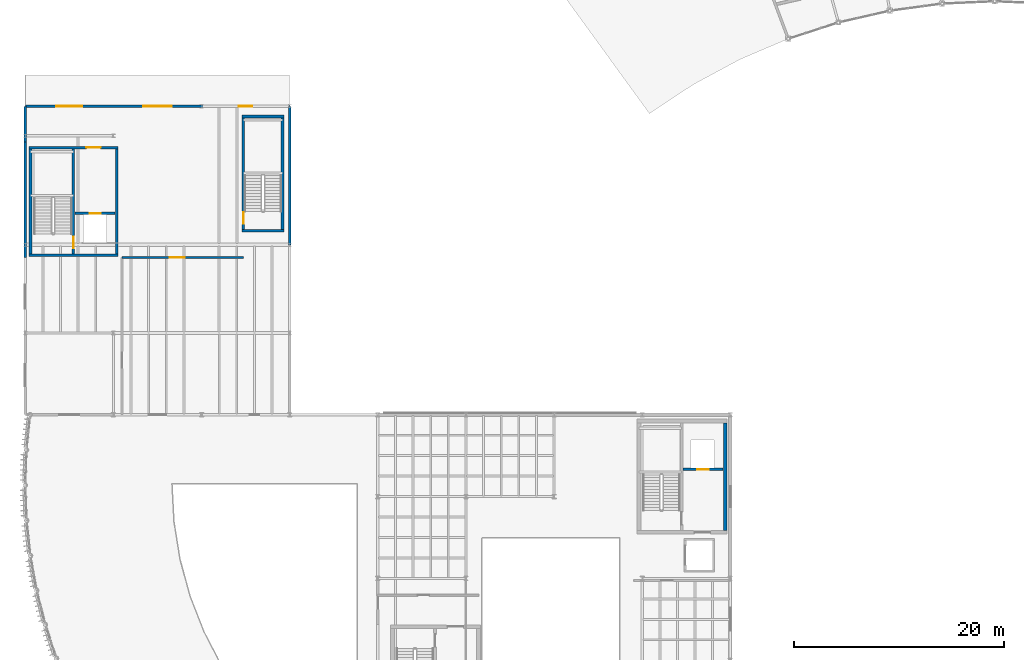
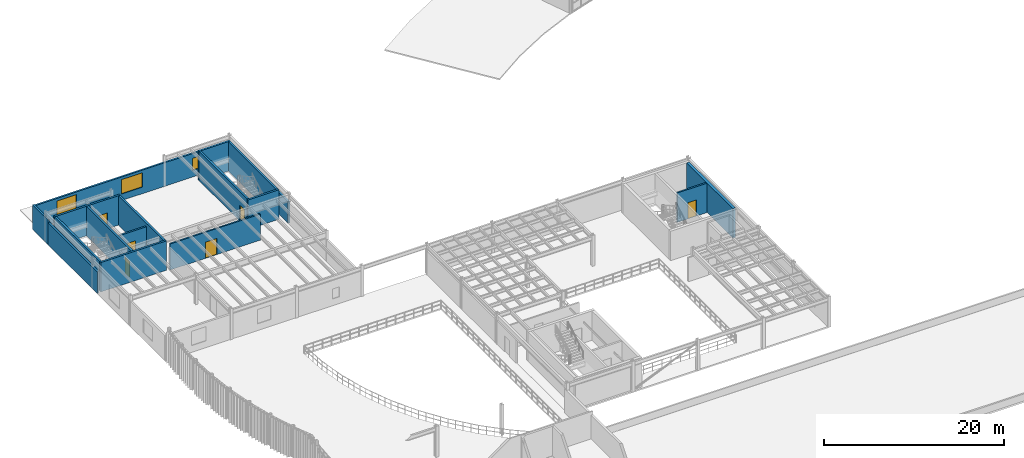
# One storey, part 40 of 54: 17 walls, 6 doors, 3 windows, 9 openings.
"""IFC4 building model written with IfcOpenShell, lengths in metres."""

from ifc_helpers import new_model, si_unit, direction, frame, frame_2d, origin, place, context, subcontext, project, spatial, rectangle, extrude, material, layer, layer_set, type_object, element, fill, save


model = new_model("IFC4")

# Units and contexts
model_context = context("Model", 3, precision=1e-05, world=origin(), true_north=direction((0.0, 1.0)))
body_context = subcontext(model_context, "Body", "Model", "MODEL_VIEW")
ifc_project = project(units=[si_unit("LENGTHUNIT", "METRE"), si_unit("AREAUNIT", "SQUARE_METRE"), si_unit("VOLUMEUNIT", "CUBIC_METRE"), si_unit("PLANEANGLEUNIT", "RADIAN"), si_unit("MASSUNIT", "GRAM", prefix="KILO")], contexts=[model_context])

# Site, building, storey
site_placement = place(None, origin())
site = spatial("IfcSite", under=ifc_project, at=site_placement, CompositionType="ELEMENT")
building_placement = place(site_placement, origin())
building = spatial("IfcBuilding", under=site, at=building_placement, Name="Selat Folded Stagehouse", CompositionType="ELEMENT")
storey_placement = place(building_placement, frame((0.0, 0.0, 15.0)))
storey = spatial("IfcBuildingStorey", under=building, at=storey_placement, Name="L03", CompositionType="ELEMENT", Elevation=15.0)

# Wall, opening, door
ifc_material_1 = material(Name="Acoustic twin-frame drywall partition", Category="gypsum")
ifc_layer_1 = layer(ifc_material_1, 0.18994140625)
ifc_layer_set_1 = layer_set([ifc_layer_1], Name="Acoustic twin-frame drywall partition")
wall_type_1 = type_object("IfcWallType", Name="WAL-ACOU-190", PredefinedType="PARTITIONING", material=ifc_layer_set_1)
wall_1_placement = place(storey_placement, frame((9.199951171875, 69.60009765625, 0.0), z_axis=(0.0, 0.0, 1.0), x_axis=(1.0, 0.0, 0.0)))
wall_1 = element("IfcWall", 1, at=wall_1_placement, inside=storey, type_object=wall_type_1, Name="L03 interior partition wall 099", PredefinedType="PARTITIONING", context=body_context, shape_type="SweptSolid", body=[
    extrude(rectangle(XDim=11.580078125, YDim=0.18994140625, at=frame_2d((5.7900390625, 0.0))), origin(), (0.0, 0.0, 1.0), 3.545654296875),
])
opening_1_placement = place(wall_1_placement, frame((4.55859375, 0.0, 0.0)))
opening_1 = element("IfcOpeningElement", 2, at=opening_1_placement, cuts=wall_1, Name="Opening RD-02", PredefinedType="OPENING", context=body_context, shape_type="SweptSolid", body=[
    extrude(rectangle(XDim=1.449951171875, YDim=2.199951171875, at=frame_2d((0.72509765625, 1.10009765625))), frame((0.0, 0.10498046875, 0.0), z_axis=(0.0, -1.0, 0.0), x_axis=(1.0, 0.0, 0.0)), (0.0, 0.0, 1.0), 0.2099609375),
])
ifc_material_2 = material(Name="Music studio acoustic door", Category="wood")
door_type_1 = type_object("IfcDoorType", Name="DOR-REH-1450", OperationType="NOTDEFINED", PredefinedType="DOOR", material=ifc_material_2)
door_1_placement = place(opening_1_placement, origin())
door_1 = element("IfcDoor", 3, at=door_1_placement, inside=storey, type_object=door_type_1, Name="L03 interior door IWAL-L03-099-1", OperationType="SINGLE_SWING_LEFT", OverallHeight=2.199951171875, OverallWidth=1.449951171875, PredefinedType="DOOR", context=body_context, shape_type="SweptSolid", body=[
    extrude(rectangle(XDim=1.449951171875, YDim=2.199951171875, at=frame_2d((0.72509765625, 1.10009765625))), frame((0.0, 0.02490234375, 0.0), z_axis=(0.0, -1.0, 0.0), x_axis=(1.0, 0.0, 0.0)), (0.0, 0.0, 1.0), 0.050048828125),
])
fill(opening_1, door_1)

ifc_material_3 = material(Name="Concrete C40/50", Category="concrete")
ifc_layer_2 = layer(ifc_material_3, 0.215087890625)
ifc_layer_set_2 = layer_set([ifc_layer_2], Name="Concrete C40/50")
wall_type_2 = type_object("IfcWallType", Name="WAL-COMP-215", PredefinedType="STANDARD", material=ifc_layer_set_2)
wall_2_placement = place(storey_placement, frame((62.7099609375, 49.39990234375, 0.0), z_axis=(0.0, 0.0, 1.0), x_axis=(1.0, 0.0, 0.0)))
wall_2 = element("IfcWall", 4, at=wall_2_placement, inside=storey, type_object=wall_type_2, Name="L03 FL-02 lift shaft front wall", PredefinedType="STANDARD", context=body_context, shape_type="SweptSolid", body=[
    extrude(rectangle(XDim=3.794921875, YDim=0.215087890625, at=frame_2d((1.8974609375, 0.0))), origin(), (0.0, 0.0, 1.0), 3.991943359375),
])
opening_2_placement = place(wall_2_placement, frame((1.347412109375, 0.0, 0.0)))
opening_2 = element("IfcOpeningElement", 5, at=opening_2_placement, cuts=wall_2, Name="Opening LD-01", PredefinedType="OPENING", context=body_context, shape_type="SweptSolid", body=[
    extrude(rectangle(XDim=1.10009765625, YDim=2.199951171875, at=frame_2d((0.550048828125, 1.10009765625))), frame((0.0, 0.117431640625, 0.0), z_axis=(0.0, -1.0, 0.0), x_axis=(1.0, 0.0, 0.0)), (0.0, 0.0, 1.0), 0.235107421875),
])
ifc_material_4 = material(Name="Firefighting lift stainless sliding landing door", Category="wood")
door_type_2 = type_object("IfcDoorType", Name="DOR-LFT-1100", OperationType="NOTDEFINED", PredefinedType="DOOR", material=ifc_material_4)
door_2_placement = place(opening_2_placement, origin())
door_2 = element("IfcDoor", 6, at=door_2_placement, inside=storey, type_object=door_type_2, Name="L03 FL-02 lift sliding landing door", OperationType="SLIDING_TO_RIGHT", OverallHeight=2.199951171875, OverallWidth=1.10009765625, PredefinedType="DOOR", context=body_context, shape_type="SweptSolid", body=[
    extrude(rectangle(XDim=1.10009765625, YDim=2.199951171875, at=frame_2d((0.550048828125, 1.10009765625))), frame((0.0, 0.02490234375, 0.0), z_axis=(0.0, -1.0, 0.0), x_axis=(1.0, 0.0, 0.0)), (0.0, 0.0, 1.0), 0.050048828125),
])
fill(opening_2, door_2)

wall_3_placement = place(storey_placement, frame((4.739990234375, 73.800048828125, 0.0), z_axis=(0.0, 0.0, 1.0), x_axis=(1.0, 0.0, 0.0)))
wall_3 = element("IfcWall", 7, at=wall_3_placement, inside=storey, type_object=wall_type_2, Name="L03 PL-04 lift shaft front wall", PredefinedType="STANDARD", context=body_context, shape_type="SweptSolid", body=[
    extrude(rectangle(XDim=3.81494140625, YDim=0.215087890625, at=frame_2d((1.907470703125, 0.0))), origin(), (0.0, 0.0, 1.0), 3.565673828125),
])
opening_3_placement = place(wall_3_placement, frame((1.382568359375, 0.0, 0.0)))
opening_3 = element("IfcOpeningElement", 8, at=opening_3_placement, cuts=wall_3, Name="Opening LD-03", PredefinedType="OPENING", context=body_context, shape_type="SweptSolid", body=[
    extrude(rectangle(XDim=1.050048828125, YDim=2.14990234375, at=frame_2d((0.52490234375, 1.074951171875))), frame((0.0, 0.117431640625, 0.0), z_axis=(0.0, -1.0, 0.0), x_axis=(1.0, 0.0, 0.0)), (0.0, 0.0, 1.0), 0.235107421875),
])
ifc_material_5 = material(Name="Passenger lift stainless sliding landing door", Category="wood")
door_type_3 = type_object("IfcDoorType", Name="DOR-LFT-1050", OperationType="NOTDEFINED", PredefinedType="DOOR", material=ifc_material_5)
door_3_placement = place(opening_3_placement, origin())
door_3 = element("IfcDoor", 9, at=door_3_placement, inside=storey, type_object=door_type_3, Name="L03 PL-04 lift sliding landing door", OperationType="SLIDING_TO_RIGHT", OverallHeight=2.14990234375, OverallWidth=1.050048828125, PredefinedType="DOOR", context=body_context, shape_type="SweptSolid", body=[
    extrude(rectangle(XDim=1.050048828125, YDim=2.14990234375, at=frame_2d((0.52490234375, 1.074951171875))), frame((0.0, 0.02490234375, 0.0), z_axis=(0.0, -1.0, 0.0), x_axis=(1.0, 0.0, 0.0)), (0.0, 0.0, 1.0), 0.050048828125),
])
fill(opening_3, door_3)

# Walls
ifc_material_6 = material(Name="Concrete C50/60", Category="concrete")
ifc_layer_3 = layer(ifc_material_6, 0.25)
ifc_layer_set_3 = layer_set([ifc_layer_3], Name="Concrete C50/60")
wall_type_3 = type_object("IfcWallType", Name="WAL-CORE-250", PredefinedType="SHEAR", material=ifc_layer_set_3)
for number, where, z_axis, x_axis, name in (
    (10, (24.64501953125, 72.1201171875, 0.0), (0.0, 0.0, 1.0), (-1.0, 0.0, 0.0), "L03 ST-07 south shaft wall"),
    (11, (20.655029296875, 83.02001953125, 0.0), (0.0, 0.0, 1.0), (1.0, 0.0, 0.0), "L03 ST-07 north shaft wall"),
):
    element("IfcWall", number, at=place(storey_placement, frame(where, z_axis=z_axis, x_axis=x_axis)), inside=storey, type_object=wall_type_3, Name=name, PredefinedType="SHEAR", context=body_context, shape_type="SweptSolid", body=[
        extrude(rectangle(XDim=3.989990234375, YDim=0.25, at=frame_2d((1.9951171875, 0.0))), origin(), (0.0, 0.0, 1.0), 4.0),
    ])

# Wall, opening, door
wall_4_placement = place(storey_placement, frame((20.780029296875, 72.2451171875, 0.0), z_axis=(0.0, 0.0, 1.0), x_axis=(0.0, 1.0, 0.0)))
wall_4 = element("IfcWall", 12, at=wall_4_placement, inside=storey, type_object=wall_type_3, Name="L03 ST-07 west shaft wall", PredefinedType="SHEAR", context=body_context, shape_type="SweptSolid", body=[
    extrude(rectangle(XDim=10.64990234375, YDim=0.25, at=frame_2d((5.324951171875, 0.0))), origin(), (0.0, 0.0, 1.0), 4.0),
])
opening_4_placement = place(wall_4_placement, frame((0.550048828125, 0.0, 0.0)))
opening_4 = element("IfcOpeningElement", 13, at=opening_4_placement, cuts=wall_4, Name="Opening FD-60", PredefinedType="OPENING", context=body_context, shape_type="SweptSolid", body=[
    extrude(rectangle(XDim=1.10009765625, YDim=2.14990234375, at=frame_2d((0.550048828125, 1.074951171875))), frame((0.0, 0.135009765625, 0.0), z_axis=(0.0, -1.0, 0.0), x_axis=(1.0, 0.0, 0.0)), (0.0, 0.0, 1.0), 0.27001953125),
])
ifc_material_7 = material(Name="Fire-rated timber core door", Category="wood")
door_type_4 = type_object("IfcDoorType", Name="DOR-FIRE-60", OperationType="NOTDEFINED", PredefinedType="DOOR", material=ifc_material_7)
door_4_placement = place(opening_4_placement, origin())
door_4 = element("IfcDoor", 14, at=door_4_placement, inside=storey, type_object=door_type_4, Name="L03 ST-07 stair door", OperationType="SINGLE_SWING_RIGHT", OverallHeight=2.14990234375, OverallWidth=1.10009765625, PredefinedType="DOOR", context=body_context, shape_type="SweptSolid", body=[
    extrude(rectangle(XDim=1.10009765625, YDim=2.14990234375, at=frame_2d((0.550048828125, 1.074951171875))), frame((0.0, 0.02490234375, 0.0), z_axis=(0.0, -1.0, 0.0), x_axis=(1.0, 0.0, 0.0)), (0.0, 0.0, 1.0), 0.050048828125),
])
fill(opening_4, door_4)

# Walls
wall_5_placement = place(storey_placement, frame((24.52001953125, 82.89501953125, 0.0), z_axis=(0.0, 0.0, 1.0), x_axis=(0.0, -1.0, 0.0)))
element("IfcWall", 15, at=wall_5_placement, inside=storey, type_object=wall_type_3, Name="L03 ST-07 east shaft wall", PredefinedType="SHEAR", context=body_context, shape_type="SweptSolid", body=[
    extrude(rectangle(XDim=10.64990234375, YDim=0.25, at=frame_2d((5.324951171875, 0.0))), origin(), (0.0, 0.0, 1.0), 4.0),
])
wall_6_placement = place(storey_placement, frame((8.824951171875, 69.800048828125, 0.0), z_axis=(0.0, 0.0, 1.0), x_axis=(-1.0, 0.0, 0.0)))
element("IfcWall", 16, at=wall_6_placement, inside=storey, type_object=wall_type_3, Name="L03 CR-5 south shear wall", PredefinedType="SHEAR", context=body_context, shape_type="SweptSolid", body=[
    extrude(rectangle(XDim=8.449951171875, YDim=0.25, at=frame_2d((4.22509765625, 0.0))), origin(), (0.0, 0.0, 1.0), 4.0),
])

# Wall, opening, door
wall_7_placement = place(storey_placement, frame((0.375, 80.06005859375, 0.0), z_axis=(0.0, 0.0, 1.0), x_axis=(1.0, 0.0, 0.0)))
wall_7 = element("IfcWall", 17, at=wall_7_placement, inside=storey, type_object=wall_type_3, Name="L03 CR-5 north shear wall", PredefinedType="SHEAR", context=body_context, shape_type="SweptSolid", body=[
    extrude(rectangle(XDim=8.449951171875, YDim=0.25, at=frame_2d((4.22509765625, 0.0))), origin(), (0.0, 0.0, 1.0), 4.0),
])
opening_5_placement = place(wall_7_placement, frame((5.449951171875, 0.0, 0.0)))
opening_5 = element("IfcOpeningElement", 18, at=opening_5_placement, cuts=wall_7, Name="Opening FD-60B", PredefinedType="OPENING", context=body_context, shape_type="SweptSolid", body=[
    extrude(rectangle(XDim=1.35009765625, YDim=2.14990234375, at=frame_2d((0.675048828125, 1.074951171875))), frame((0.0, 0.135009765625, 0.0), z_axis=(0.0, -1.0, 0.0), x_axis=(1.0, 0.0, 0.0)), (0.0, 0.0, 1.0), 0.27001953125),
])
ifc_material_8 = material(Name="Protected stair escape door", Category="wood")
door_type_5 = type_object("IfcDoorType", Name="DOR-STR-1350", OperationType="NOTDEFINED", PredefinedType="DOOR", material=ifc_material_8)
door_5_placement = place(opening_5_placement, origin())
door_5 = element("IfcDoor", 19, at=door_5_placement, inside=storey, type_object=door_type_5, Name="L03 CR-5 core lobby fire door", OperationType="SINGLE_SWING_RIGHT", OverallHeight=2.14990234375, OverallWidth=1.35009765625, PredefinedType="DOOR", context=body_context, shape_type="SweptSolid", body=[
    extrude(rectangle(XDim=1.35009765625, YDim=2.14990234375, at=frame_2d((0.675048828125, 1.074951171875))), frame((0.0, 0.02490234375, 0.0), z_axis=(0.0, -1.0, 0.0), x_axis=(1.0, 0.0, 0.0)), (0.0, 0.0, 1.0), 0.050048828125),
])
fill(opening_5, door_5)

# Walls
for number, where, z_axis, x_axis, name in (
    (20, (0.5, 69.925048828125, 0.0), (0.0, 0.0, 1.0), (0.0, 1.0, 0.0), "L03 CR-5 west shear wall"),
    (21, (8.699951171875, 79.93505859375, 0.0), (0.0, 0.0, 1.0), (0.0, -1.0, 0.0), "L03 CR-5 east shear wall"),
):
    element("IfcWall", number, at=place(storey_placement, frame(where, z_axis=z_axis, x_axis=x_axis)), inside=storey, type_object=wall_type_3, Name=name, PredefinedType="SHEAR", context=body_context, shape_type="SweptSolid", body=[
        extrude(rectangle(XDim=10.010009765625, YDim=0.25, at=frame_2d((5.0048828125, 0.0))), origin(), (0.0, 0.0, 1.0), 4.0),
    ])

# Wall, opening, door
wall_8_placement = place(storey_placement, frame((4.580078125, 79.93505859375, 0.0), z_axis=(0.0, 0.0, 1.0), x_axis=(0.0, -1.0, 0.0)))
wall_8 = element("IfcWall", 22, at=wall_8_placement, inside=storey, type_object=wall_type_3, Name="L03 CR-5 internal core divider wall", PredefinedType="SHEAR", context=body_context, shape_type="SweptSolid", body=[
    extrude(rectangle(XDim=10.010009765625, YDim=0.25, at=frame_2d((5.0048828125, 0.0))), origin(), (0.0, 0.0, 1.0), 4.0),
])
opening_6_placement = place(wall_8_placement, frame((8.360107421875, 0.0, 0.0)))
opening_6 = element("IfcOpeningElement", 23, at=opening_6_placement, cuts=wall_8, Name="Opening FD-60", PredefinedType="OPENING", context=body_context, shape_type="SweptSolid", body=[
    extrude(rectangle(XDim=1.10009765625, YDim=2.14990234375, at=frame_2d((0.550048828125, 1.074951171875))), frame((0.0, 0.135009765625, 0.0), z_axis=(0.0, -1.0, 0.0), x_axis=(1.0, 0.0, 0.0)), (0.0, 0.0, 1.0), 0.27001953125),
])
door_6_placement = place(opening_6_placement, origin())
door_6 = element("IfcDoor", 24, at=door_6_placement, inside=storey, type_object=door_type_4, Name="L03 CR-5 protected stair fire door", OperationType="SINGLE_SWING_LEFT", OverallHeight=2.14990234375, OverallWidth=1.10009765625, PredefinedType="DOOR", context=body_context, shape_type="SweptSolid", body=[
    extrude(rectangle(XDim=1.10009765625, YDim=2.14990234375, at=frame_2d((0.550048828125, 1.074951171875))), frame((0.0, 0.02490234375, 0.0), z_axis=(0.0, -1.0, 0.0), x_axis=(1.0, 0.0, 0.0)), (0.0, 0.0, 1.0), 0.050048828125),
])
fill(opening_6, door_6)

# Walls
ifc_material_9 = material(Name="Precast concrete C40/50", Category="concrete")
ifc_layer_4 = layer(ifc_material_9, 0.22998046875)
ifc_layer_set_4 = layer_set([ifc_layer_4], Name="Precast concrete C40/50")
wall_type_4 = type_object("IfcWallType", Name="WAL-EXT-230", PredefinedType="STANDARD", material=ifc_layer_set_4)
wall_9_placement = place(storey_placement, frame((0.0, 69.60009765625, 0.0), z_axis=(0.0, 0.0, 1.0), x_axis=(0.0, 1.0, 0.0)))
element("IfcWall", 25, at=wall_9_placement, inside=storey, type_object=wall_type_4, Name="L03 exterior facade wall EW-L03-V4W-2", PredefinedType="STANDARD", context=body_context, shape_type="SweptSolid", body=[
    extrude(rectangle(XDim=11.0, YDim=0.22998046875, at=frame_2d((5.5, 0.0))), origin(), (0.0, 0.0, 1.0), 2.964111328125),
])
wall_10_placement = place(storey_placement, frame((0.0, 80.60009765625, 0.0), z_axis=(0.0, 0.0, 1.0), x_axis=(0.0, 1.0, 0.0)))
element("IfcWall", 26, at=wall_10_placement, inside=storey, type_object=wall_type_4, Name="L03 exterior facade wall EW-L03-V4W-3", PredefinedType="STANDARD", context=body_context, shape_type="SweptSolid", body=[
    extrude(rectangle(XDim=3.39990234375, YDim=0.22998046875, at=frame_2d((1.699951171875, 0.0))), origin(), (0.0, 0.0, 1.0), 3.354736328125),
])

# Wall, openings, windows
wall_11_placement = place(storey_placement, frame((0.0, 84.0, 0.0), z_axis=(0.0, 0.0, 1.0), x_axis=(1.0, 0.0, 0.0)))
wall_11 = element("IfcWall", 27, at=wall_11_placement, inside=storey, type_object=wall_type_4, Name="L03 exterior facade wall EW-L03-V4N", PredefinedType="STANDARD", context=body_context, shape_type="SweptSolid", body=[
    extrude(rectangle(XDim=25.199951171875, YDim=0.22998046875, at=frame_2d((12.60009765625, 0.0))), origin(), (0.0, 0.0, 1.0), 3.2021484375),
])
opening_7_placement = place(wall_11_placement, frame((2.949951171875, 0.0, 0.89990234375)))
opening_7 = element("IfcOpeningElement", 28, at=opening_7_placement, cuts=wall_11, Name="Opening WN-28", PredefinedType="OPENING", context=body_context, shape_type="SweptSolid", body=[
    extrude(rectangle(XDim=2.5, YDim=1.949951171875, at=frame_2d((1.25, 0.97509765625))), frame((0.0, 0.125, 0.0), z_axis=(0.0, -1.0, 0.0), x_axis=(1.0, 0.0, 0.0)), (0.0, 0.0, 1.0), 0.25),
])
opening_8_placement = place(wall_11_placement, frame((11.25, 0.0, 0.89990234375)))
opening_8 = element("IfcOpeningElement", 29, at=opening_8_placement, cuts=wall_11, Name="Opening WN-27", PredefinedType="OPENING", context=body_context, shape_type="SweptSolid", body=[
    extrude(rectangle(XDim=2.699951171875, YDim=1.949951171875, at=frame_2d((1.35009765625, 0.97509765625))), frame((0.0, 0.125, 0.0), z_axis=(0.0, -1.0, 0.0), x_axis=(1.0, 0.0, 0.0)), (0.0, 0.0, 1.0), 0.25),
])
opening_9_placement = place(wall_11_placement, frame((20.35009765625, 0.0, 0.89990234375)))
opening_9 = element("IfcOpeningElement", 30, at=opening_9_placement, cuts=wall_11, Name="Opening WN-38", PredefinedType="OPENING", context=body_context, shape_type="SweptSolid", body=[
    extrude(rectangle(XDim=1.300048828125, YDim=1.64990234375, at=frame_2d((0.64990234375, 0.824951171875))), frame((0.0, 0.125, 0.0), z_axis=(0.0, -1.0, 0.0), x_axis=(1.0, 0.0, 0.0)), (0.0, 0.0, 1.0), 0.25),
])
ifc_material_10 = material(Name="Thermally broken aluminium and acoustic low-E glass", Category="aluminium")
window_type_1 = type_object("IfcWindowType", Name="WIN-ED-2500x1950", PartitioningType="SINGLE_PANEL", PredefinedType="WINDOW", material=ifc_material_10)
window_1_placement = place(opening_7_placement, origin())
window_1 = element("IfcWindow", 31, at=window_1_placement, inside=storey, type_object=window_type_1, Name="L03 exterior window EW-L03-V4N-1", OverallHeight=1.949951171875, OverallWidth=2.5, PartitioningType="SINGLE_PANEL", PredefinedType="WINDOW", context=body_context, shape_type="SweptSolid", body=[
    extrude(rectangle(XDim=2.5, YDim=1.949951171875, at=frame_2d((1.25, 0.97509765625))), frame((0.0, 0.030029296875, 0.0), z_axis=(0.0, -1.0, 0.0), x_axis=(1.0, 0.0, 0.0)), (0.0, 0.0, 1.0), 0.06005859375),
])
fill(opening_7, window_1)
window_type_2 = type_object("IfcWindowType", Name="WIN-ED-2700x1950", PartitioningType="SINGLE_PANEL", PredefinedType="WINDOW", material=ifc_material_10)
window_2_placement = place(opening_8_placement, origin())
window_2 = element("IfcWindow", 32, at=window_2_placement, inside=storey, type_object=window_type_2, Name="L03 exterior window EW-L03-V4N-2", OverallHeight=1.949951171875, OverallWidth=2.699951171875, PartitioningType="SINGLE_PANEL", PredefinedType="WINDOW", context=body_context, shape_type="SweptSolid", body=[
    extrude(rectangle(XDim=2.699951171875, YDim=1.949951171875, at=frame_2d((1.35009765625, 0.97509765625))), frame((0.0, 0.030029296875, 0.0), z_axis=(0.0, -1.0, 0.0), x_axis=(1.0, 0.0, 0.0)), (0.0, 0.0, 1.0), 0.06005859375),
])
fill(opening_8, window_2)
window_type_3 = type_object("IfcWindowType", Name="WIN-OF-1300x1650", PartitioningType="SINGLE_PANEL", PredefinedType="WINDOW", material=ifc_material_10)
window_3_placement = place(opening_9_placement, origin())
window_3 = element("IfcWindow", 33, at=window_3_placement, inside=storey, type_object=window_type_3, Name="L03 exterior window EW-L03-V4N-3", OverallHeight=1.64990234375, OverallWidth=1.300048828125, PartitioningType="SINGLE_PANEL", PredefinedType="WINDOW", context=body_context, shape_type="SweptSolid", body=[
    extrude(rectangle(XDim=1.300048828125, YDim=1.64990234375, at=frame_2d((0.64990234375, 0.824951171875))), frame((0.0, 0.030029296875, 0.0), z_axis=(0.0, -1.0, 0.0), x_axis=(1.0, 0.0, 0.0)), (0.0, 0.0, 1.0), 0.06005859375),
])
fill(opening_9, window_3)

# Walls
wall_12_placement = place(storey_placement, frame((25.199951171875, 84.0, 0.0), z_axis=(0.0, 0.0, 1.0), x_axis=(0.0, -1.0, 0.0)))
element("IfcWall", 34, at=wall_12_placement, inside=storey, type_object=wall_type_4, Name="L03 exterior facade wall EW-L03-V4E-1", PredefinedType="STANDARD", context=body_context, shape_type="SweptSolid", body=[
    extrude(rectangle(XDim=13.199951171875, YDim=0.22998046875, at=frame_2d((6.60009765625, 0.0))), origin(), (0.0, 0.0, 1.0), 2.964111328125),
])
ifc_layer_5 = layer(ifc_material_6, 0.35009765625)
ifc_layer_set_5 = layer_set([ifc_layer_5], Name="Concrete C50/60")
wall_type_5 = type_object("IfcWallType", Name="WAL-SW-350", PredefinedType="SHEAR", material=ifc_layer_set_5)
wall_13_placement = place(storey_placement, frame((66.699951171875, 53.824951171875, 0.0), z_axis=(0.0, 0.0, 1.0), x_axis=(0.0, -1.0, 0.0)))
element("IfcWall", 35, at=wall_13_placement, inside=storey, type_object=wall_type_5, Name="L03 CR-2 east shear wall", PredefinedType="SHEAR", context=body_context, shape_type="SweptSolid", body=[
    extrude(rectangle(XDim=10.25, YDim=0.35009765625, at=frame_2d((5.125, 0.0))), origin(), (0.0, 0.0, 1.0), 4.0),
])

save(model, "model.ifc")
